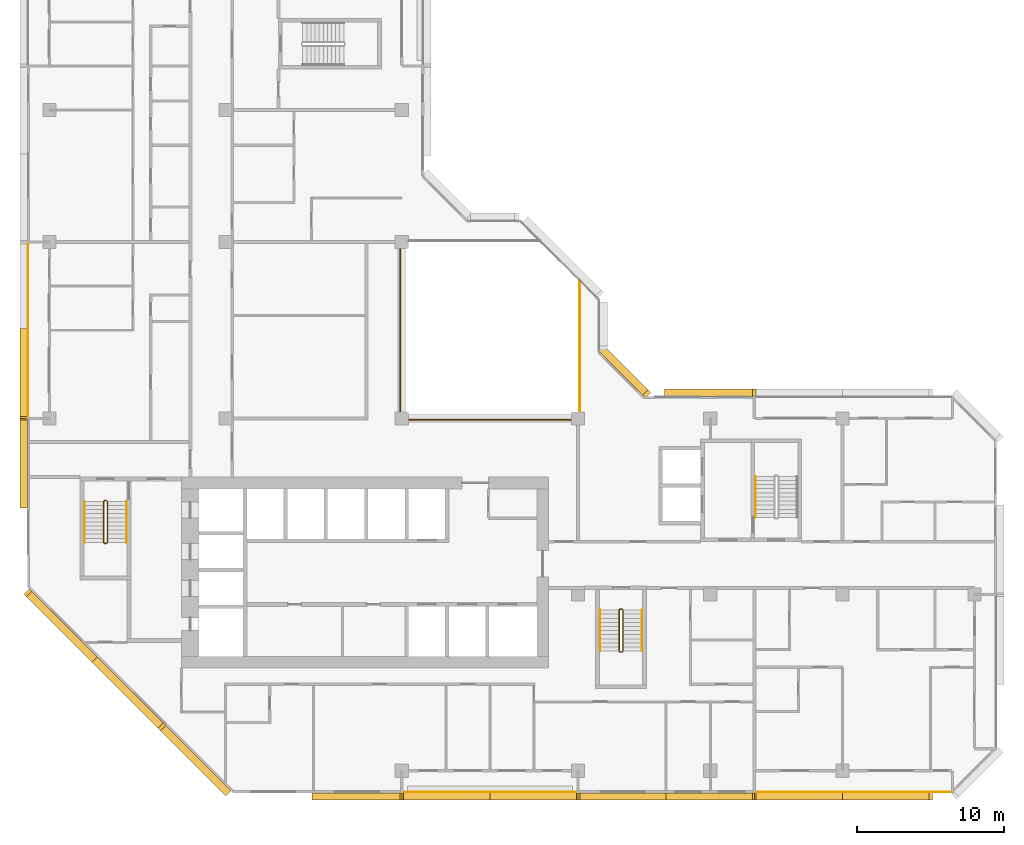
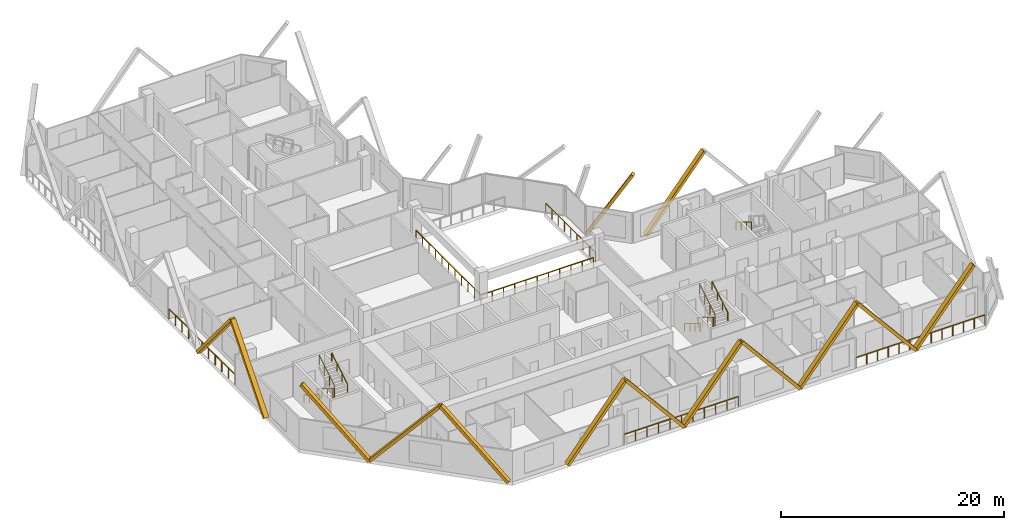
# One storey, part 14 of 15: 14 coverings, 12 railings.
"""IFC4 building model written with IfcOpenShell, lengths in metres."""

from ifc_helpers import new_model, si_unit, direction, frame, origin, origin_2d, place, context, subcontext, project, spatial, rectangle, extrude, material, material_profile, profile_set, type_object, element, save


model = new_model("IFC4")

# Units and contexts
model_context = context("Model", 3, precision=1e-05, world=origin(), true_north=direction((0.0, 1.0)))
body_context = subcontext(model_context, "Body", "Model", "MODEL_VIEW")
ifc_project = project(units=[si_unit("LENGTHUNIT", "METRE"), si_unit("AREAUNIT", "SQUARE_METRE"), si_unit("VOLUMEUNIT", "CUBIC_METRE"), si_unit("PLANEANGLEUNIT", "RADIAN"), si_unit("MASSUNIT", "GRAM", prefix="KILO")], contexts=[model_context])

# Site, building, storey
site_placement = place(None, origin())
site = spatial("IfcSite", under=ifc_project, at=site_placement, CompositionType="ELEMENT")
building_placement = place(site_placement, origin())
building = spatial("IfcBuilding", under=site, at=building_placement, Name="Chenar Terraces", CompositionType="ELEMENT")
storey_placement = place(building_placement, frame((0.0, 0.0, 187.39990234375)))
storey = spatial("IfcBuildingStorey", under=building, at=storey_placement, Name="L43", CompositionType="ELEMENT", Elevation=187.39990234375)

# Railings
ifc_material_1 = material(Name="Powder-coated steel", Category="steel")
railing_type_1 = type_object("IfcRailingType", Name="Guard 1100 steel rail with glass infill", PredefinedType="GUARDRAIL", material=ifc_material_1)
railing_1_placement = place(storey_placement, frame((23.89990234375, 35.550048828125, 0.0)))
element("IfcRailing", 1, at=railing_1_placement, inside=storey, type_object=railing_type_1, Name="Guard L43-1", PredefinedType="GUARDRAIL", context=body_context, shape_type="SweptSolid", body=[
    extrude(rectangle(XDim=0.06005859375, YDim=0.06005859375, at=origin_2d()), frame((0.0, 0.0, 1.070068359375), z_axis=(0.0, -1.0, 0.0), x_axis=(1.0, 0.0, 0.0)), (0.0, 0.0, 1.0), 11.650146484375),
    extrude(rectangle(XDim=0.06005859375, YDim=0.06005859375, at=origin_2d()), frame((0.0, -11.650146484375, 1.070068359375), z_axis=(1.0, 0.0, 0.0), x_axis=(0.0, 1.0, 0.0)), (0.0, 0.0, 1.0), 11.650146484375),
    extrude(rectangle(XDim=0.050048828125, YDim=0.050048828125, at=origin_2d()), origin(), (0.0, 0.0, 1.0), 1.0400390625),
    extrude(rectangle(XDim=0.050048828125, YDim=0.050048828125, at=origin_2d()), frame((0.0, -1.1650390625, 0.0)), (0.0, 0.0, 1.0), 1.0400390625),
    extrude(rectangle(XDim=0.050048828125, YDim=0.050048828125, at=origin_2d()), frame((0.0, -2.330078125, 0.0)), (0.0, 0.0, 1.0), 1.0400390625),
    extrude(rectangle(XDim=0.050048828125, YDim=0.050048828125, at=origin_2d()), frame((0.0, -3.4951171875, 0.0)), (0.0, 0.0, 1.0), 1.0400390625),
    extrude(rectangle(XDim=0.050048828125, YDim=0.050048828125, at=origin_2d()), frame((0.0, -4.66015625, 0.0)), (0.0, 0.0, 1.0), 1.0400390625),
    extrude(rectangle(XDim=0.050048828125, YDim=0.050048828125, at=origin_2d()), frame((0.0, -5.8251953125, 0.0)), (0.0, 0.0, 1.0), 1.0400390625),
    extrude(rectangle(XDim=0.050048828125, YDim=0.050048828125, at=origin_2d()), frame((0.0, -6.989990234375, 0.0)), (0.0, 0.0, 1.0), 1.0400390625),
    extrude(rectangle(XDim=0.050048828125, YDim=0.050048828125, at=origin_2d()), frame((0.0, -8.155029296875, 0.0)), (0.0, 0.0, 1.0), 1.0400390625),
    extrude(rectangle(XDim=0.050048828125, YDim=0.050048828125, at=origin_2d()), frame((0.0, -9.320068359375, 0.0)), (0.0, 0.0, 1.0), 1.0400390625),
    extrude(rectangle(XDim=0.050048828125, YDim=0.050048828125, at=origin_2d()), frame((0.0, -10.485107421875, 0.0)), (0.0, 0.0, 1.0), 1.0400390625),
    extrude(rectangle(XDim=0.050048828125, YDim=0.050048828125, at=origin_2d()), frame((0.0, -11.650146484375, 0.0)), (0.0, 0.0, 1.0), 1.0400390625),
    extrude(rectangle(XDim=0.050048828125, YDim=0.050048828125, at=origin_2d()), frame((1.1650390625, -11.650146484375, 0.0)), (0.0, 0.0, 1.0), 1.0400390625),
    extrude(rectangle(XDim=0.050048828125, YDim=0.050048828125, at=origin_2d()), frame((2.330078125, -11.650146484375, 0.0)), (0.0, 0.0, 1.0), 1.0400390625),
    extrude(rectangle(XDim=0.050048828125, YDim=0.050048828125, at=origin_2d()), frame((3.4951171875, -11.650146484375, 0.0)), (0.0, 0.0, 1.0), 1.0400390625),
    extrude(rectangle(XDim=0.050048828125, YDim=0.050048828125, at=origin_2d()), frame((4.66015625, -11.650146484375, 0.0)), (0.0, 0.0, 1.0), 1.0400390625),
    extrude(rectangle(XDim=0.050048828125, YDim=0.050048828125, at=origin_2d()), frame((5.8251953125, -11.650146484375, 0.0)), (0.0, 0.0, 1.0), 1.0400390625),
    extrude(rectangle(XDim=0.050048828125, YDim=0.050048828125, at=origin_2d()), frame((6.989990234375, -11.650146484375, 0.0)), (0.0, 0.0, 1.0), 1.0400390625),
    extrude(rectangle(XDim=0.050048828125, YDim=0.050048828125, at=origin_2d()), frame((8.155029296875, -11.650146484375, 0.0)), (0.0, 0.0, 1.0), 1.0400390625),
    extrude(rectangle(XDim=0.050048828125, YDim=0.050048828125, at=origin_2d()), frame((9.320068359375, -11.650146484375, 0.0)), (0.0, 0.0, 1.0), 1.0400390625),
    extrude(rectangle(XDim=0.050048828125, YDim=0.050048828125, at=origin_2d()), frame((10.485107421875, -11.650146484375, 0.0)), (0.0, 0.0, 1.0), 1.0400390625),
    extrude(rectangle(XDim=0.050048828125, YDim=0.050048828125, at=origin_2d()), frame((11.650146484375, -11.650146484375, 0.0)), (0.0, 0.0, 1.0), 1.0400390625),
])
railing_2_placement = place(storey_placement, frame((36.10009765625, 24.5, 0.0)))
element("IfcRailing", 2, at=railing_2_placement, inside=storey, type_object=railing_type_1, Name="Guard L43-3", PredefinedType="GUARDRAIL", context=body_context, shape_type="SweptSolid", body=[
    extrude(rectangle(XDim=0.06005859375, YDim=0.06005859375, at=origin_2d()), frame((0.0, 0.0, 1.070068359375), z_axis=(0.0, 1.0, 0.0), x_axis=(-1.0, 0.0, 0.0)), (0.0, 0.0, 1.0), 8.89990234375),
    extrude(rectangle(XDim=0.050048828125, YDim=0.050048828125, at=origin_2d()), origin(), (0.0, 0.0, 1.0), 1.0400390625),
    extrude(rectangle(XDim=0.050048828125, YDim=0.050048828125, at=origin_2d()), frame((0.0, 1.112548828125, 0.0)), (0.0, 0.0, 1.0), 1.0400390625),
    extrude(rectangle(XDim=0.050048828125, YDim=0.050048828125, at=origin_2d()), frame((0.0, 2.22509765625, 0.0)), (0.0, 0.0, 1.0), 1.0400390625),
    extrude(rectangle(XDim=0.050048828125, YDim=0.050048828125, at=origin_2d()), frame((0.0, 3.33740234375, 0.0)), (0.0, 0.0, 1.0), 1.0400390625),
    extrude(rectangle(XDim=0.050048828125, YDim=0.050048828125, at=origin_2d()), frame((0.0, 4.449951171875, 0.0)), (0.0, 0.0, 1.0), 1.0400390625),
    extrude(rectangle(XDim=0.050048828125, YDim=0.050048828125, at=origin_2d()), frame((0.0, 5.5625, 0.0)), (0.0, 0.0, 1.0), 1.0400390625),
    extrude(rectangle(XDim=0.050048828125, YDim=0.050048828125, at=origin_2d()), frame((0.0, 6.6748046875, 0.0)), (0.0, 0.0, 1.0), 1.0400390625),
    extrude(rectangle(XDim=0.050048828125, YDim=0.050048828125, at=origin_2d()), frame((0.0, 7.787353515625, 0.0)), (0.0, 0.0, 1.0), 1.0400390625),
    extrude(rectangle(XDim=0.050048828125, YDim=0.050048828125, at=origin_2d()), frame((0.0, 8.89990234375, 0.0)), (0.0, 0.0, 1.0), 1.0400390625),
])
ifc_material_2 = material(Name="Stainless steel and glass", Category="steel")
railing_type_2 = type_object("IfcRailingType", Name="Loggia guard 1150", PredefinedType="GUARDRAIL", material=ifc_material_2)
railing_3_placement = place(storey_placement, frame((24.074951171875, -1.449951171875, 0.0)))
element("IfcRailing", 3, at=railing_3_placement, inside=storey, type_object=railing_type_2, Name="Loggia guard", PredefinedType="GUARDRAIL", context=body_context, shape_type="SweptSolid", body=[
    extrude(rectangle(XDim=0.048095703125, YDim=0.048095703125, at=origin_2d()), frame((0.0, 0.0, 1.1259765625), z_axis=(1.0, 0.0, 0.0), x_axis=(0.0, 1.0, 0.0)), (0.0, 0.0, 1.0), 11.85009765625),
    extrude(rectangle(XDim=0.0419921875, YDim=0.0419921875, at=origin_2d()), origin(), (0.0, 0.0, 1.0), 1.101806640625),
    extrude(rectangle(XDim=0.0419921875, YDim=0.0419921875, at=origin_2d()), frame((1.18505859375, 0.0, 0.0)), (0.0, 0.0, 1.0), 1.101806640625),
    extrude(rectangle(XDim=0.0419921875, YDim=0.0419921875, at=origin_2d()), frame((2.3701171875, 0.0, 0.0)), (0.0, 0.0, 1.0), 1.101806640625),
    extrude(rectangle(XDim=0.0419921875, YDim=0.0419921875, at=origin_2d()), frame((3.554931640625, 0.0, 0.0)), (0.0, 0.0, 1.0), 1.101806640625),
    extrude(rectangle(XDim=0.0419921875, YDim=0.0419921875, at=origin_2d()), frame((4.739990234375, 0.0, 0.0)), (0.0, 0.0, 1.0), 1.101806640625),
    extrude(rectangle(XDim=0.0419921875, YDim=0.0419921875, at=origin_2d()), frame((5.925048828125, 0.0, 0.0)), (0.0, 0.0, 1.0), 1.101806640625),
    extrude(rectangle(XDim=0.0419921875, YDim=0.0419921875, at=origin_2d()), frame((7.110107421875, 0.0, 0.0)), (0.0, 0.0, 1.0), 1.101806640625),
    extrude(rectangle(XDim=0.0419921875, YDim=0.0419921875, at=origin_2d()), frame((8.295166015625, 0.0, 0.0)), (0.0, 0.0, 1.0), 1.101806640625),
    extrude(rectangle(XDim=0.0419921875, YDim=0.0419921875, at=origin_2d()), frame((9.47998046875, 0.0, 0.0)), (0.0, 0.0, 1.0), 1.101806640625),
    extrude(rectangle(XDim=0.0419921875, YDim=0.0419921875, at=origin_2d()), frame((10.6650390625, 0.0, 0.0)), (0.0, 0.0, 1.0), 1.101806640625),
    extrude(rectangle(XDim=0.0419921875, YDim=0.0419921875, at=origin_2d()), frame((11.85009765625, 0.0, 0.0)), (0.0, 0.0, 1.0), 1.101806640625),
])
railing_4_placement = place(storey_placement, frame((48.074951171875, -1.449951171875, 0.0)))
element("IfcRailing", 4, at=railing_4_placement, inside=storey, type_object=railing_type_2, Name="Loggia guard", PredefinedType="GUARDRAIL", context=body_context, shape_type="SweptSolid", body=[
    extrude(rectangle(XDim=0.048095703125, YDim=0.048095703125, at=origin_2d()), frame((0.0, 0.0, 1.1259765625), z_axis=(1.0, 0.0, 0.0), x_axis=(0.0, 1.0, 0.0)), (0.0, 0.0, 1.0), 13.35009765625),
    extrude(rectangle(XDim=0.0419921875, YDim=0.0419921875, at=origin_2d()), origin(), (0.0, 0.0, 1.0), 1.101806640625),
    extrude(rectangle(XDim=0.0419921875, YDim=0.0419921875, at=origin_2d()), frame((1.112548828125, 0.0, 0.0)), (0.0, 0.0, 1.0), 1.101806640625),
    extrude(rectangle(XDim=0.0419921875, YDim=0.0419921875, at=origin_2d()), frame((2.22509765625, 0.0, 0.0)), (0.0, 0.0, 1.0), 1.101806640625),
    extrude(rectangle(XDim=0.0419921875, YDim=0.0419921875, at=origin_2d()), frame((3.33740234375, 0.0, 0.0)), (0.0, 0.0, 1.0), 1.101806640625),
    extrude(rectangle(XDim=0.0419921875, YDim=0.0419921875, at=origin_2d()), frame((4.449951171875, 0.0, 0.0)), (0.0, 0.0, 1.0), 1.101806640625),
    extrude(rectangle(XDim=0.0419921875, YDim=0.0419921875, at=origin_2d()), frame((5.5625, 0.0, 0.0)), (0.0, 0.0, 1.0), 1.101806640625),
    extrude(rectangle(XDim=0.0419921875, YDim=0.0419921875, at=origin_2d()), frame((6.675048828125, 0.0, 0.0)), (0.0, 0.0, 1.0), 1.101806640625),
    extrude(rectangle(XDim=0.0419921875, YDim=0.0419921875, at=origin_2d()), frame((7.78759765625, 0.0, 0.0)), (0.0, 0.0, 1.0), 1.101806640625),
    extrude(rectangle(XDim=0.0419921875, YDim=0.0419921875, at=origin_2d()), frame((8.900146484375, 0.0, 0.0)), (0.0, 0.0, 1.0), 1.101806640625),
    extrude(rectangle(XDim=0.0419921875, YDim=0.0419921875, at=origin_2d()), frame((10.0126953125, 0.0, 0.0)), (0.0, 0.0, 1.0), 1.101806640625),
    extrude(rectangle(XDim=0.0419921875, YDim=0.0419921875, at=origin_2d()), frame((11.125, 0.0, 0.0)), (0.0, 0.0, 1.0), 1.101806640625),
    extrude(rectangle(XDim=0.0419921875, YDim=0.0419921875, at=origin_2d()), frame((12.237548828125, 0.0, 0.0)), (0.0, 0.0, 1.0), 1.101806640625),
    extrude(rectangle(XDim=0.0419921875, YDim=0.0419921875, at=origin_2d()), frame((13.35009765625, 0.0, 0.0)), (0.0, 0.0, 1.0), 1.101806640625),
])
railing_5_placement = place(storey_placement, frame((-1.449951171875, 35.925048828125, 0.0)))
element("IfcRailing", 5, at=railing_5_placement, inside=storey, type_object=railing_type_2, Name="Loggia guard", PredefinedType="GUARDRAIL", context=body_context, shape_type="SweptSolid", body=[
    extrude(rectangle(XDim=0.048095703125, YDim=0.048095703125, at=origin_2d()), frame((0.0, 0.0, 1.1259765625), z_axis=(0.0, -1.0, 0.0), x_axis=(1.0, 0.0, 0.0)), (0.0, 0.0, 1.0), 11.85009765625),
    extrude(rectangle(XDim=0.0419921875, YDim=0.0419921875, at=origin_2d()), origin(), (0.0, 0.0, 1.0), 1.101806640625),
    extrude(rectangle(XDim=0.0419921875, YDim=0.0419921875, at=origin_2d()), frame((0.0, -1.18505859375, 0.0)), (0.0, 0.0, 1.0), 1.101806640625),
    extrude(rectangle(XDim=0.0419921875, YDim=0.0419921875, at=origin_2d()), frame((0.0, -2.3701171875, 0.0)), (0.0, 0.0, 1.0), 1.101806640625),
    extrude(rectangle(XDim=0.0419921875, YDim=0.0419921875, at=origin_2d()), frame((0.0, -3.554931640625, 0.0)), (0.0, 0.0, 1.0), 1.101806640625),
    extrude(rectangle(XDim=0.0419921875, YDim=0.0419921875, at=origin_2d()), frame((0.0, -4.739990234375, 0.0)), (0.0, 0.0, 1.0), 1.101806640625),
    extrude(rectangle(XDim=0.0419921875, YDim=0.0419921875, at=origin_2d()), frame((0.0, -5.925048828125, 0.0)), (0.0, 0.0, 1.0), 1.101806640625),
    extrude(rectangle(XDim=0.0419921875, YDim=0.0419921875, at=origin_2d()), frame((0.0, -7.110107421875, 0.0)), (0.0, 0.0, 1.0), 1.101806640625),
    extrude(rectangle(XDim=0.0419921875, YDim=0.0419921875, at=origin_2d()), frame((0.0, -8.295166015625, 0.0)), (0.0, 0.0, 1.0), 1.101806640625),
    extrude(rectangle(XDim=0.0419921875, YDim=0.0419921875, at=origin_2d()), frame((0.0, -9.47998046875, 0.0)), (0.0, 0.0, 1.0), 1.101806640625),
    extrude(rectangle(XDim=0.0419921875, YDim=0.0419921875, at=origin_2d()), frame((0.0, -10.6650390625, 0.0)), (0.0, 0.0, 1.0), 1.101806640625),
    extrude(rectangle(XDim=0.0419921875, YDim=0.0419921875, at=origin_2d()), frame((0.0, -11.85009765625, 0.0)), (0.0, 0.0, 1.0), 1.101806640625),
])
ifc_material_3 = material(Name="Powder-coated steel", Category="steel")
railing_type_3 = type_object("IfcRailingType", Name="Stair guard 1100", PredefinedType="GUARDRAIL", material=ifc_material_3)
railing_6_placement = place(storey_placement, frame((3.949951171875, 18.35009765625, 3.75)))
element("IfcRailing", 6, at=railing_6_placement, inside=storey, type_object=railing_type_3, Name="L43 ST1 stair guard 1", PredefinedType="GUARDRAIL", context=body_context, shape_type="SweptSolid", body=[
    extrude(rectangle(XDim=0.048095703125, YDim=0.048095703125, at=origin_2d()), frame((0.0, 0.0, 1.076171875), z_axis=(0.0, -0.854202870247, -0.519939858505), x_axis=(1.0, 0.0, 0.0)), (0.0, 0.0, 1.0), 3.278076171875),
    extrude(rectangle(XDim=0.048095703125, YDim=0.048095703125, at=origin_2d()), frame((0.0, -2.800048828125, -0.62841796875), z_axis=(-0.270899902878, -0.270899902878, -0.923702595667), x_axis=(0.707106781187, -0.707106781187, 0.0)), (0.0, 0.0, 1.0), 0.184814453125),
    extrude(rectangle(XDim=0.048095703125, YDim=0.048095703125, at=origin_2d()), frame((-0.050048828125, -2.85009765625, -0.798828125), z_axis=(-1.0, 0.0, 0.0), x_axis=(0.0, -1.0, 0.0)), (0.0, 0.0, 1.0), 0.14990234375),
    extrude(rectangle(XDim=0.048095703125, YDim=0.048095703125, at=origin_2d()), frame((-0.199951171875, -2.85009765625, -0.798828125), z_axis=(-0.707106781187, 0.707106781187, 0.0), x_axis=(-0.707106781187, -0.707106781187, 0.0)), (0.0, 0.0, 1.0), 0.07080078125),
    extrude(rectangle(XDim=0.048095703125, YDim=0.048095703125, at=origin_2d()), frame((-0.25, -2.800048828125, -0.798828125), z_axis=(0.0, 0.854202870247, -0.519939858505), x_axis=(-1.0, 0.0, 0.0)), (0.0, 0.0, 1.0), 3.278076171875),
    extrude(rectangle(XDim=0.048095703125, YDim=0.048095703125, at=origin_2d()), frame((-0.25, 0.0, -2.50341796875), z_axis=(0.270996696079, 0.269674760976, -0.924032636873), x_axis=(-0.705375805398, 0.708833529934, 0.0)), (0.0, 0.0, 1.0), 0.1845703125),
    extrude(rectangle(XDim=0.048095703125, YDim=0.048095703125, at=origin_2d()), frame((-0.199951171875, 0.0498046875, -2.673828125), z_axis=(1.0, 0.0, 0.0), x_axis=(0.0, 1.0, 0.0)), (0.0, 0.0, 1.0), 0.14990234375),
    extrude(rectangle(XDim=0.0419921875, YDim=0.0419921875, at=origin_2d()), origin(), (0.0, 0.0, 1.0), 1.052001953125),
    extrude(rectangle(XDim=0.0419921875, YDim=0.0419921875, at=origin_2d()), frame((0.0, -0.933349609375, -0.568115234375)), (0.0, 0.0, 1.0), 1.052001953125),
    extrude(rectangle(XDim=0.0419921875, YDim=0.0419921875, at=origin_2d()), frame((0.0, -1.86669921875, -1.13623046875)), (0.0, 0.0, 1.0), 1.052001953125),
    extrude(rectangle(XDim=0.0419921875, YDim=0.0419921875, at=origin_2d()), frame((0.0, -2.800048828125, -1.704345703125)), (0.0, 0.0, 1.0), 1.052001953125),
    extrude(rectangle(XDim=0.0419921875, YDim=0.0419921875, at=origin_2d()), frame((-0.050048828125, -2.85009765625, -1.875)), (0.0, 0.0, 1.0), 1.052001953125),
    extrude(rectangle(XDim=0.0419921875, YDim=0.0419921875, at=origin_2d()), frame((-0.199951171875, -2.85009765625, -1.875)), (0.0, 0.0, 1.0), 1.052001953125),
    extrude(rectangle(XDim=0.0419921875, YDim=0.0419921875, at=origin_2d()), frame((-0.25, -2.800048828125, -1.875)), (0.0, 0.0, 1.0), 1.052001953125),
    extrude(rectangle(XDim=0.0419921875, YDim=0.0419921875, at=origin_2d()), frame((-0.25, -1.86669921875, -2.443115234375)), (0.0, 0.0, 1.0), 1.052001953125),
    extrude(rectangle(XDim=0.0419921875, YDim=0.0419921875, at=origin_2d()), frame((-0.25, -0.933349609375, -3.01123046875)), (0.0, 0.0, 1.0), 1.052001953125),
    extrude(rectangle(XDim=0.0419921875, YDim=0.0419921875, at=origin_2d()), frame((-0.25, 0.0, -3.579345703125)), (0.0, 0.0, 1.0), 1.052001953125),
    extrude(rectangle(XDim=0.0419921875, YDim=0.0419921875, at=origin_2d()), frame((-0.199951171875, 0.0498046875, -3.75)), (0.0, 0.0, 1.0), 1.052001953125),
    extrude(rectangle(XDim=0.0419921875, YDim=0.0419921875, at=origin_2d()), frame((-0.050048828125, 0.0498046875, -3.75)), (0.0, 0.0, 1.0), 1.052001953125),
])
railing_7_placement = place(storey_placement, frame((39.050048828125, 10.949951171875, 3.75)))
element("IfcRailing", 7, at=railing_7_placement, inside=storey, type_object=railing_type_3, Name="L43 ST2 stair guard 1", PredefinedType="GUARDRAIL", context=body_context, shape_type="SweptSolid", body=[
    extrude(rectangle(XDim=0.048095703125, YDim=0.048095703125, at=origin_2d()), frame((0.0, 0.0, 1.076171875), z_axis=(0.0, -0.854202870247, -0.519939858505), x_axis=(1.0, 0.0, 0.0)), (0.0, 0.0, 1.0), 3.278076171875),
    extrude(rectangle(XDim=0.048095703125, YDim=0.048095703125, at=origin_2d()), frame((0.0, -2.800048828125, -0.62841796875), z_axis=(-0.270996696079, -0.269674760976, -0.924032636873), x_axis=(0.705375805398, -0.708833529934, 0.0)), (0.0, 0.0, 1.0), 0.1845703125),
    extrude(rectangle(XDim=0.048095703125, YDim=0.048095703125, at=origin_2d()), frame((-0.050048828125, -2.849853515625, -0.798828125), z_axis=(-1.0, 0.0, 0.0), x_axis=(0.0, -1.0, 0.0)), (0.0, 0.0, 1.0), 0.14990234375),
    extrude(rectangle(XDim=0.048095703125, YDim=0.048095703125, at=origin_2d()), frame((-0.199951171875, -2.849853515625, -0.798828125), z_axis=(-0.708833529934, 0.705375805398, 0.0), x_axis=(-0.705375805398, -0.708833529934, 0.0)), (0.0, 0.0, 1.0), 0.070556640625),
    extrude(rectangle(XDim=0.048095703125, YDim=0.048095703125, at=origin_2d()), frame((-0.25, -2.800048828125, -0.798828125), z_axis=(0.0, 0.854202870247, -0.519939858505), x_axis=(-1.0, 0.0, 0.0)), (0.0, 0.0, 1.0), 3.278076171875),
    extrude(rectangle(XDim=0.048095703125, YDim=0.048095703125, at=origin_2d()), frame((-0.25, 0.0, -2.50341796875), z_axis=(0.270899902878, 0.270899902878, -0.923702595667), x_axis=(-0.707106781187, 0.707106781187, 0.0)), (0.0, 0.0, 1.0), 0.184814453125),
    extrude(rectangle(XDim=0.048095703125, YDim=0.048095703125, at=origin_2d()), frame((-0.199951171875, 0.050048828125, -2.673828125), z_axis=(1.0, 0.0, 0.0), x_axis=(0.0, 1.0, 0.0)), (0.0, 0.0, 1.0), 0.14990234375),
    extrude(rectangle(XDim=0.0419921875, YDim=0.0419921875, at=origin_2d()), origin(), (0.0, 0.0, 1.0), 1.052001953125),
    extrude(rectangle(XDim=0.0419921875, YDim=0.0419921875, at=origin_2d()), frame((0.0, -0.933349609375, -0.568115234375)), (0.0, 0.0, 1.0), 1.052001953125),
    extrude(rectangle(XDim=0.0419921875, YDim=0.0419921875, at=origin_2d()), frame((0.0, -1.86669921875, -1.13623046875)), (0.0, 0.0, 1.0), 1.052001953125),
    extrude(rectangle(XDim=0.0419921875, YDim=0.0419921875, at=origin_2d()), frame((0.0, -2.800048828125, -1.704345703125)), (0.0, 0.0, 1.0), 1.052001953125),
    extrude(rectangle(XDim=0.0419921875, YDim=0.0419921875, at=origin_2d()), frame((-0.050048828125, -2.849853515625, -1.875)), (0.0, 0.0, 1.0), 1.052001953125),
    extrude(rectangle(XDim=0.0419921875, YDim=0.0419921875, at=origin_2d()), frame((-0.199951171875, -2.849853515625, -1.875)), (0.0, 0.0, 1.0), 1.052001953125),
    extrude(rectangle(XDim=0.0419921875, YDim=0.0419921875, at=origin_2d()), frame((-0.25, -2.800048828125, -1.875)), (0.0, 0.0, 1.0), 1.052001953125),
    extrude(rectangle(XDim=0.0419921875, YDim=0.0419921875, at=origin_2d()), frame((-0.25, -1.86669921875, -2.443115234375)), (0.0, 0.0, 1.0), 1.052001953125),
    extrude(rectangle(XDim=0.0419921875, YDim=0.0419921875, at=origin_2d()), frame((-0.25, -0.933349609375, -3.01123046875)), (0.0, 0.0, 1.0), 1.052001953125),
    extrude(rectangle(XDim=0.0419921875, YDim=0.0419921875, at=origin_2d()), frame((-0.25, 0.0, -3.579345703125)), (0.0, 0.0, 1.0), 1.052001953125),
    extrude(rectangle(XDim=0.0419921875, YDim=0.0419921875, at=origin_2d()), frame((-0.199951171875, 0.050048828125, -3.75)), (0.0, 0.0, 1.0), 1.052001953125),
    extrude(rectangle(XDim=0.0419921875, YDim=0.0419921875, at=origin_2d()), frame((-0.050048828125, 0.050048828125, -3.75)), (0.0, 0.0, 1.0), 1.052001953125),
])
ifc_material_4 = material(Name="Powder-coated steel", Category="steel")
railing_type_4 = type_object("IfcRailingType", Name="Stair handrail 900", PredefinedType="HANDRAIL", material=ifc_material_4)
railing_8_placement = place(storey_placement, frame((2.39990234375, 18.35009765625, 0.170654296875)))
element("IfcRailing", 8, at=railing_8_placement, inside=storey, type_object=railing_type_4, Name="L43 ST1 stair handrail 1", PredefinedType="HANDRAIL", context=body_context, shape_type="SweptSolid", body=[
    extrude(rectangle(XDim=0.048095703125, YDim=0.048095703125, at=origin_2d()), frame((0.0, 0.0, 0.8759765625), z_axis=(0.0, -0.854202870247, 0.519939858505), x_axis=(1.0, 0.0, 0.0)), (0.0, 0.0, 1.0), 3.278076171875),
    extrude(rectangle(XDim=0.0419921875, YDim=0.0419921875, at=origin_2d()), origin(), (0.0, 0.0, 1.0), 0.851806640625),
    extrude(rectangle(XDim=0.0419921875, YDim=0.0419921875, at=origin_2d()), frame((0.0, -0.933349609375, 0.568115234375)), (0.0, 0.0, 1.0), 0.851806640625),
    extrude(rectangle(XDim=0.0419921875, YDim=0.0419921875, at=origin_2d()), frame((0.0, -1.86669921875, 1.13623046875)), (0.0, 0.0, 1.0), 0.851806640625),
    extrude(rectangle(XDim=0.0419921875, YDim=0.0419921875, at=origin_2d()), frame((0.0, -2.800048828125, 1.704345703125)), (0.0, 0.0, 1.0), 0.851806640625),
])
railing_9_placement = place(storey_placement, frame((5.25, 15.550048828125, 2.045654296875)))
element("IfcRailing", 9, at=railing_9_placement, inside=storey, type_object=railing_type_4, Name="L43 ST1 stair handrail 2", PredefinedType="HANDRAIL", context=body_context, shape_type="SweptSolid", body=[
    extrude(rectangle(XDim=0.048095703125, YDim=0.048095703125, at=origin_2d()), frame((0.0, 0.0, 0.8759765625), z_axis=(0.0, 0.854202870247, 0.519939858505), x_axis=(-1.0, 0.0, 0.0)), (0.0, 0.0, 1.0), 3.278076171875),
    extrude(rectangle(XDim=0.0419921875, YDim=0.0419921875, at=origin_2d()), origin(), (0.0, 0.0, 1.0), 0.851806640625),
    extrude(rectangle(XDim=0.0419921875, YDim=0.0419921875, at=origin_2d()), frame((0.0, 0.933349609375, 0.568115234375)), (0.0, 0.0, 1.0), 0.851806640625),
    extrude(rectangle(XDim=0.0419921875, YDim=0.0419921875, at=origin_2d()), frame((0.0, 1.86669921875, 1.13623046875)), (0.0, 0.0, 1.0), 0.851806640625),
    extrude(rectangle(XDim=0.0419921875, YDim=0.0419921875, at=origin_2d()), frame((0.0, 2.800048828125, 1.704345703125)), (0.0, 0.0, 1.0), 0.851806640625),
])
railing_10_placement = place(storey_placement, frame((37.5, 10.949951171875, 0.170654296875)))
element("IfcRailing", 10, at=railing_10_placement, inside=storey, type_object=railing_type_4, Name="L43 ST2 stair handrail 1", PredefinedType="HANDRAIL", context=body_context, shape_type="SweptSolid", body=[
    extrude(rectangle(XDim=0.048095703125, YDim=0.048095703125, at=origin_2d()), frame((0.0, 0.0, 0.8759765625), z_axis=(0.0, -0.854202870247, 0.519939858505), x_axis=(1.0, 0.0, 0.0)), (0.0, 0.0, 1.0), 3.278076171875),
    extrude(rectangle(XDim=0.0419921875, YDim=0.0419921875, at=origin_2d()), origin(), (0.0, 0.0, 1.0), 0.851806640625),
    extrude(rectangle(XDim=0.0419921875, YDim=0.0419921875, at=origin_2d()), frame((0.0, -0.933349609375, 0.568115234375)), (0.0, 0.0, 1.0), 0.851806640625),
    extrude(rectangle(XDim=0.0419921875, YDim=0.0419921875, at=origin_2d()), frame((0.0, -1.86669921875, 1.13623046875)), (0.0, 0.0, 1.0), 0.851806640625),
    extrude(rectangle(XDim=0.0419921875, YDim=0.0419921875, at=origin_2d()), frame((0.0, -2.800048828125, 1.704345703125)), (0.0, 0.0, 1.0), 0.851806640625),
])
railing_11_placement = place(storey_placement, frame((40.35009765625, 8.14990234375, 2.045654296875)))
element("IfcRailing", 11, at=railing_11_placement, inside=storey, type_object=railing_type_4, Name="L43 ST2 stair handrail 2", PredefinedType="HANDRAIL", context=body_context, shape_type="SweptSolid", body=[
    extrude(rectangle(XDim=0.048095703125, YDim=0.048095703125, at=origin_2d()), frame((0.0, 0.0, 0.8759765625), z_axis=(0.0, 0.854202870247, 0.519939858505), x_axis=(-1.0, 0.0, 0.0)), (0.0, 0.0, 1.0), 3.278076171875),
    extrude(rectangle(XDim=0.0419921875, YDim=0.0419921875, at=origin_2d()), origin(), (0.0, 0.0, 1.0), 0.851806640625),
    extrude(rectangle(XDim=0.0419921875, YDim=0.0419921875, at=origin_2d()), frame((0.0, 0.933349609375, 0.568115234375)), (0.0, 0.0, 1.0), 0.851806640625),
    extrude(rectangle(XDim=0.0419921875, YDim=0.0419921875, at=origin_2d()), frame((0.0, 1.86669921875, 1.13623046875)), (0.0, 0.0, 1.0), 0.851806640625),
    extrude(rectangle(XDim=0.0419921875, YDim=0.0419921875, at=origin_2d()), frame((0.0, 2.800048828125, 1.704345703125)), (0.0, 0.0, 1.0), 0.851806640625),
])
railing_12_placement = place(storey_placement, frame((48.074951171875, 20.050048828125, 2.045654296875)))
element("IfcRailing", 12, at=railing_12_placement, inside=storey, type_object=railing_type_4, Name="L43 ST3 stair handrail 2", PredefinedType="HANDRAIL", context=body_context, shape_type="SweptSolid", body=[
    extrude(rectangle(XDim=0.048095703125, YDim=0.048095703125, at=origin_2d()), frame((0.0, 0.0, 0.8759765625), z_axis=(0.0, -0.854202870247, 0.519939858505), x_axis=(1.0, 0.0, 0.0)), (0.0, 0.0, 1.0), 3.278076171875),
    extrude(rectangle(XDim=0.0419921875, YDim=0.0419921875, at=origin_2d()), origin(), (0.0, 0.0, 1.0), 0.851806640625),
    extrude(rectangle(XDim=0.0419921875, YDim=0.0419921875, at=origin_2d()), frame((0.0, -0.933349609375, 0.568115234375)), (0.0, 0.0, 1.0), 0.851806640625),
    extrude(rectangle(XDim=0.0419921875, YDim=0.0419921875, at=origin_2d()), frame((0.0, -1.86669921875, 1.13623046875)), (0.0, 0.0, 1.0), 0.851806640625),
    extrude(rectangle(XDim=0.0419921875, YDim=0.0419921875, at=origin_2d()), frame((0.0, -2.800048828125, 1.704345703125)), (0.0, 0.0, 1.0), 0.851806640625),
])

# Coverings
ifc_material_5 = material(Name="Terracotta", Category="masonry")
ifc_material_profile = material_profile(ifc_material_5, rectangle(XDim=0.5, YDim=0.300048828125, at=origin_2d()), Name="Terracotta baguette 500 x 300")
ifc_profile_set = profile_set([ifc_material_profile], Name="Terracotta")
covering_type = type_object("IfcCoveringType", Name="Terracotta baguette 500 x 300", PredefinedType="CLADDING", material=ifc_profile_set)
covering_1_placement = place(storey_placement, frame((48.0, 25.75, 7.35009765625), z_axis=(-0.640186961885, 0.0, -0.768219144407), x_axis=(0.0, -1.0, 0.0)))
element("IfcCovering", 13, at=covering_1_placement, inside=storey, type_object=covering_type, Name="Terracotta baguette", PredefinedType="CLADDING", context=body_context, shape_type="SweptSolid", body=[
    extrude(rectangle(XDim=0.5, YDim=0.300048828125, at=origin_2d()), origin(), (0.0, 0.0, 1.0), 9.372314453125),
])
covering_2_placement = place(storey_placement, frame((40.6767578125, 25.6767578125, 7.35009765625), z_axis=(-0.358980886355, 0.358980886355, -0.861548284464), x_axis=(-0.707106781187, -0.707106781187, 0.0)))
element("IfcCovering", 14, at=covering_2_placement, inside=storey, type_object=covering_type, Name="Terracotta baguette", PredefinedType="CLADDING", context=body_context, shape_type="SweptSolid", body=[
    extrude(rectangle(XDim=0.5, YDim=0.300048828125, at=origin_2d()), origin(), (0.0, 0.0, 1.0), 8.35693359375),
])
for number, where, z_axis, x_axis, name in (
    (15, (-1.75, 30.0, 0.150146484375), (0.0, -0.640186961885, 0.768219144407), (1.0, 0.0, 0.0), "Terracotta baguette"),
    (16, (-1.75, 24.0, 7.35009765625), (0.0, -0.640186961885, -0.768219144407), (1.0, 0.0, 0.0), "Terracotta baguette"),
):
    element("IfcCovering", number, at=place(storey_placement, frame(where, z_axis=z_axis, x_axis=x_axis)), inside=storey, type_object=covering_type, Name=name, PredefinedType="CLADDING", context=body_context, shape_type="SweptSolid", body=[
        extrude(rectangle(XDim=0.5, YDim=0.300048828125, at=origin_2d()), origin(), (0.0, 0.0, 1.0), 9.372314453125),
    ])
covering_3_placement = place(storey_placement, frame((-1.464599609375, 12.111083984375, 7.35009765625), z_axis=(0.465624035565, -0.465624035565, -0.752587878595), x_axis=(0.707106781187, 0.707106781187, 0.0)))
element("IfcCovering", 17, at=covering_3_placement, inside=storey, type_object=covering_type, Name="Terracotta baguette", PredefinedType="CLADDING", context=body_context, shape_type="SweptSolid", body=[
    extrude(rectangle(XDim=0.5, YDim=0.300048828125, at=origin_2d()), origin(), (0.0, 0.0, 1.0), 9.56689453125),
])
covering_4_placement = place(storey_placement, frame((2.989990234375, 7.656494140625, 0.150146484375), z_axis=(0.477788925607, -0.477788925607, 0.737180768289), x_axis=(0.707106781187, 0.707106781187, 0.0)))
element("IfcCovering", 18, at=covering_4_placement, inside=storey, type_object=covering_type, Name="Terracotta baguette", PredefinedType="CLADDING", context=body_context, shape_type="SweptSolid", body=[
    extrude(rectangle(XDim=0.5, YDim=0.300048828125, at=origin_2d()), origin(), (0.0, 0.0, 1.0), 9.766845703125),
])
covering_5_placement = place(storey_placement, frame((7.656494140625, 2.989990234375, 7.35009765625), z_axis=(0.465624035565, -0.465624035565, -0.752587878595), x_axis=(0.707106781187, 0.707106781187, 0.0)))
element("IfcCovering", 19, at=covering_5_placement, inside=storey, type_object=covering_type, Name="Terracotta baguette", PredefinedType="CLADDING", context=body_context, shape_type="SweptSolid", body=[
    extrude(rectangle(XDim=0.5, YDim=0.300048828125, at=origin_2d()), origin(), (0.0, 0.0, 1.0), 9.56689453125),
])
for number, where, z_axis, x_axis, name in (
    (20, (18.0, -1.75, 0.150146484375), (0.640186961885, 0.0, 0.768219144407), (0.0, 1.0, 0.0), "Terracotta baguette"),
    (21, (24.0, -1.75, 7.35009765625), (0.640186961885, 0.0, -0.768219144407), (0.0, 1.0, 0.0), "Terracotta baguette"),
    (22, (30.0, -1.75, 0.150146484375), (0.640186961885, 0.0, 0.768219144407), (0.0, 1.0, 0.0), "Terracotta baguette"),
    (23, (36.0, -1.75, 7.35009765625), (0.640186961885, 0.0, -0.768219144407), (0.0, 1.0, 0.0), "Terracotta baguette"),
    (24, (42.0, -1.75, 0.150146484375), (0.640186961885, 0.0, 0.768219144407), (0.0, 1.0, 0.0), "Terracotta baguette"),
    (25, (48.0, -1.75, 7.35009765625), (0.640186961885, 0.0, -0.768219144407), (0.0, 1.0, 0.0), "Terracotta baguette"),
    (26, (54.0, -1.75, 0.150146484375), (0.640186961885, 0.0, 0.768219144407), (0.0, 1.0, 0.0), "Terracotta baguette"),
):
    element("IfcCovering", number, at=place(storey_placement, frame(where, z_axis=z_axis, x_axis=x_axis)), inside=storey, type_object=covering_type, Name=name, PredefinedType="CLADDING", context=body_context, shape_type="SweptSolid", body=[
        extrude(rectangle(XDim=0.5, YDim=0.300048828125, at=origin_2d()), origin(), (0.0, 0.0, 1.0), 9.372314453125),
    ])

save(model, "model.ifc")
